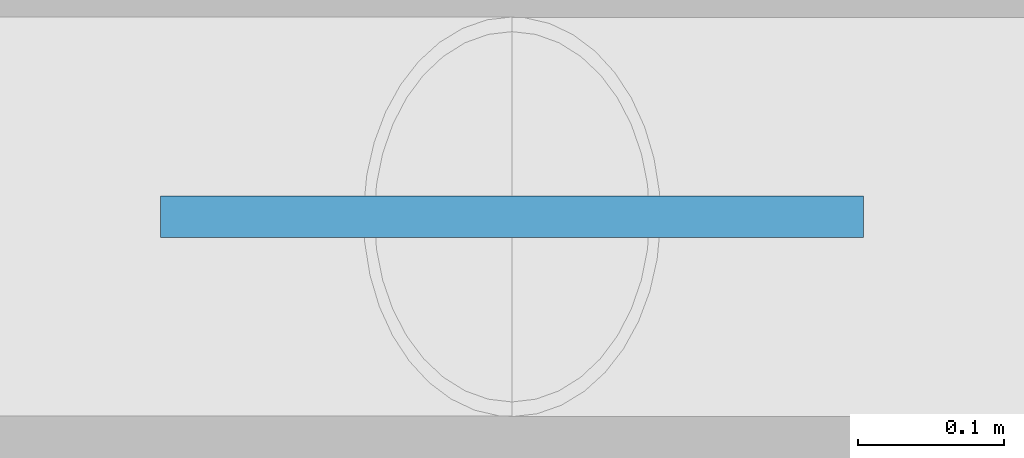
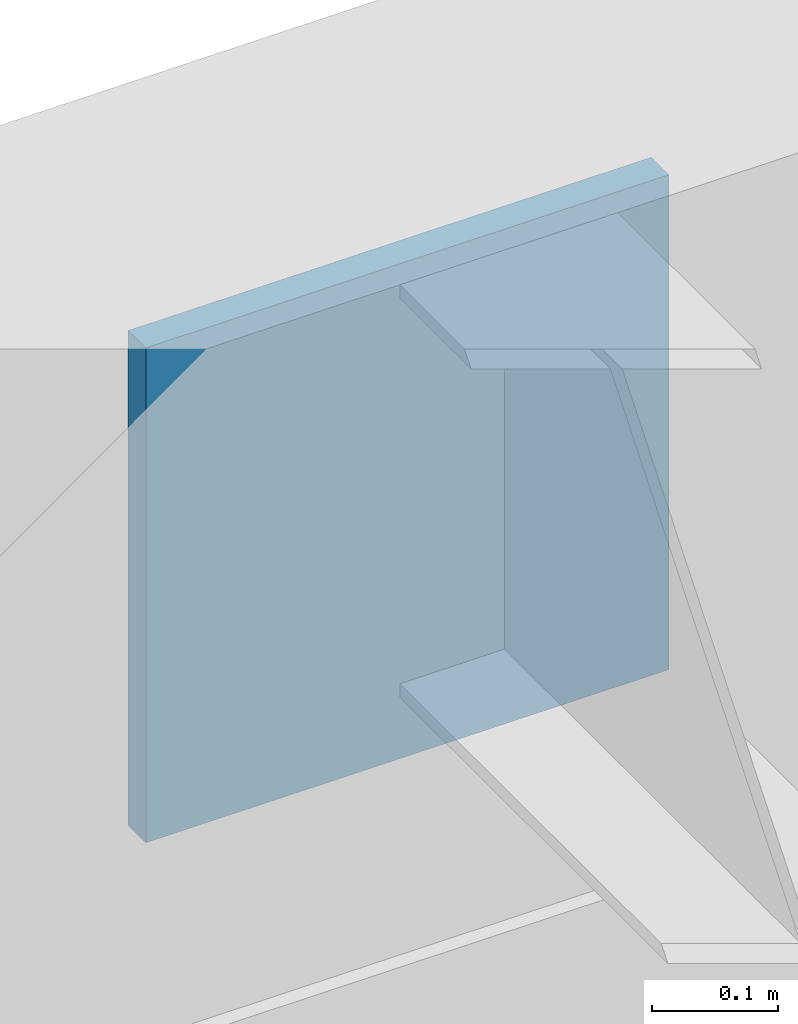
# One storey, part 21 of 51: 1 plate.
"""IFC4 building model written with IfcOpenShell, lengths in metres."""

from ifc_helpers import new_model, si_unit, direction, frame, origin, origin_2d, place, context, subcontext, project, spatial, rectangle, extrude, material, layer, layer_set, type_object, element, save


model = new_model("IFC4")

# Units and contexts
model_context = context("Model", 3, precision=1e-05, world=origin(), true_north=direction((0.0, 1.0)))
body_context = subcontext(model_context, "Body", "Model", "MODEL_VIEW")
ifc_project = project(units=[si_unit("LENGTHUNIT", "METRE"), si_unit("AREAUNIT", "SQUARE_METRE"), si_unit("VOLUMEUNIT", "CUBIC_METRE"), si_unit("PLANEANGLEUNIT", "RADIAN"), si_unit("MASSUNIT", "GRAM", prefix="KILO")], contexts=[model_context])

# Site, building, storey
site_placement = place(None, origin())
site = spatial("IfcSite", under=ifc_project, at=site_placement, CompositionType="ELEMENT")
building_placement = place(site_placement, origin())
building = spatial("IfcBuilding", under=site, at=building_placement, Name="Chengyuan Square Courthouse", CompositionType="ELEMENT")
storey_placement = place(building_placement, frame((0.0, 0.0, 10.800048828125)))
storey = spatial("IfcBuildingStorey", under=building, at=storey_placement, Name="L03", CompositionType="ELEMENT", Elevation=10.800048828125)

# Plate
ifc_material = material(Name="Steel Q355B", Category="steel")
ifc_layer = layer(ifc_material, 0.028076171875)
ifc_layer_set = layer_set([ifc_layer], Name="Steel Q355B")
plate_type = type_object("IfcPlateType", Name="GP-02", PredefinedType="SHEET", material=ifc_layer_set)
plate_placement = place(storey_placement, frame((63.0, 115.199951171875, 4.530029296875), z_axis=(0.0, 0.0, 1.0), x_axis=(1.0, 0.0, 0.0)))
element("IfcPlate", 1, at=plate_placement, inside=storey, type_object=plate_type, Name="Brace Gusset Plate GP-L03-07", PredefinedType="SHEET", context=body_context, shape_type="SweptSolid", body=[
    extrude(rectangle(XDim=0.47998046875, YDim=0.028076171875, at=origin_2d()), origin(), (0.0, 0.0, 1.0), 0.47998046875),
])

save(model, "model.ifc")
